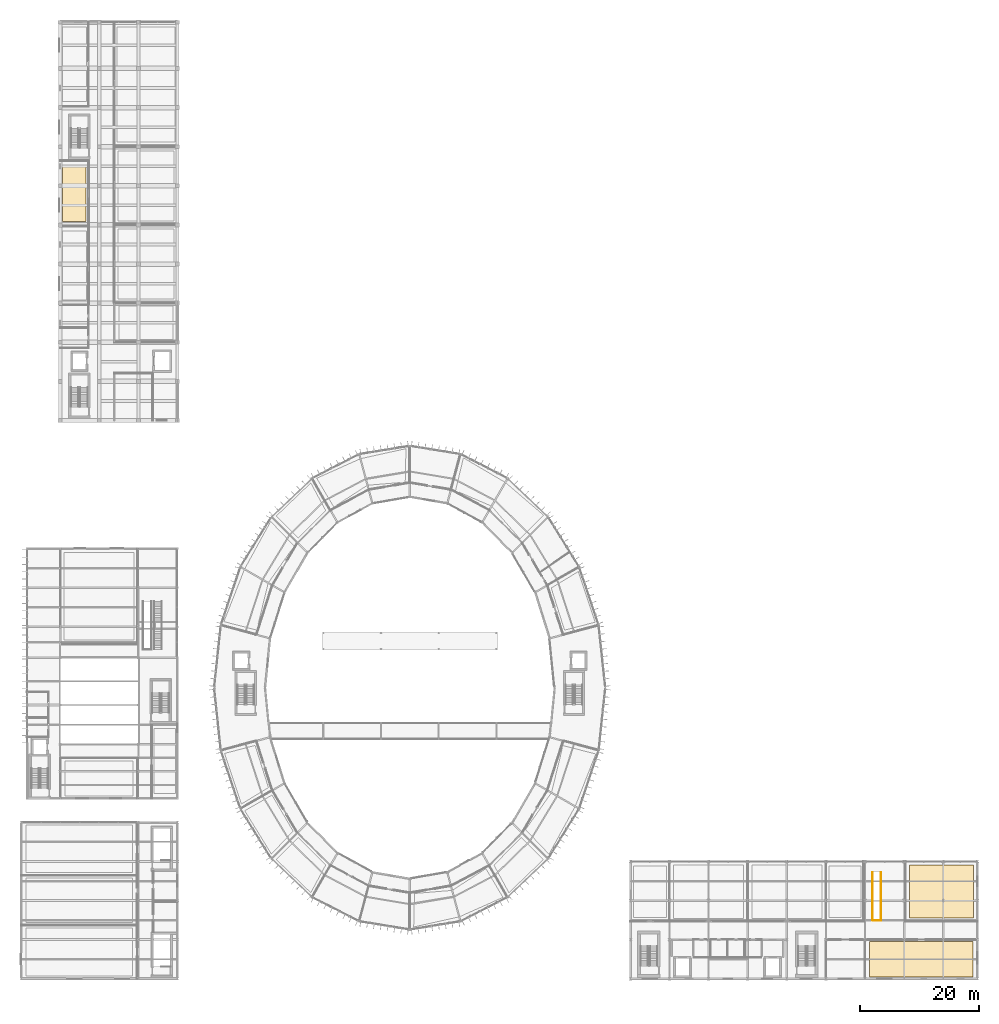
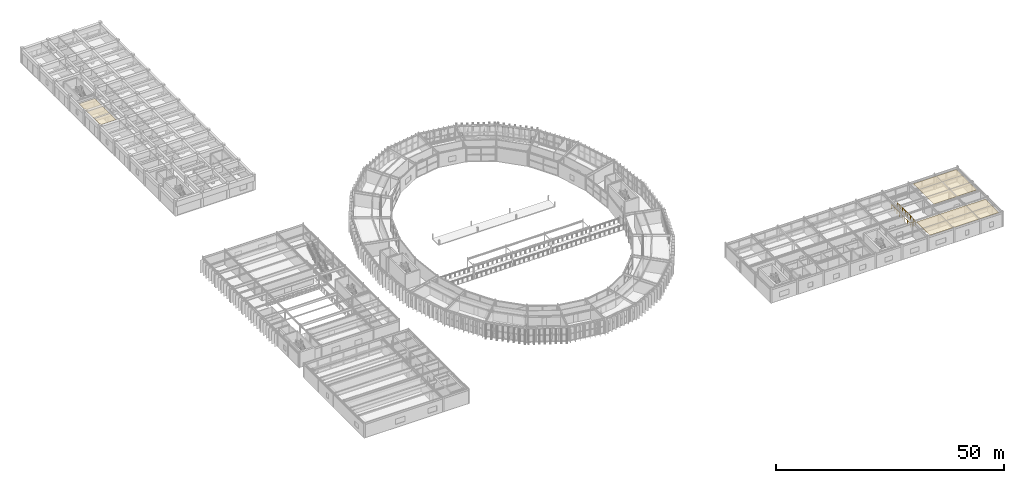
# One storey, part 146 of 147: 3 coverings, 1 railing.
"""IFC4 building model written with IfcOpenShell, lengths in metres."""

from ifc_helpers import new_model, si_unit, direction, frame, origin, origin_2d, place, context, subcontext, project, spatial, polyline, circle, outline, extrude, material, layer, layer_set, type_object, element, save


model = new_model("IFC4")

# Units and contexts
model_context = context("Model", 3, precision=1e-05, world=origin(), true_north=direction((0.0, 1.0)))
body_context = subcontext(model_context, "Body", "Model", "MODEL_VIEW")
ifc_project = project(units=[si_unit("LENGTHUNIT", "METRE"), si_unit("AREAUNIT", "SQUARE_METRE"), si_unit("VOLUMEUNIT", "CUBIC_METRE"), si_unit("PLANEANGLEUNIT", "RADIAN"), si_unit("MASSUNIT", "GRAM", prefix="KILO")], contexts=[model_context])

# Site, building, storey
site_placement = place(None, origin())
site = spatial("IfcSite", under=ifc_project, at=site_placement, CompositionType="ELEMENT")
building_placement = place(site_placement, origin())
building = spatial("IfcBuilding", under=site, at=building_placement, Name="Karori Crest Natural Sciences Institute", CompositionType="ELEMENT")
storey_placement = place(building_placement, frame((0.0, 0.0, 9.10009765625)))
storey = spatial("IfcBuildingStorey", under=building, at=storey_placement, Name="L02", CompositionType="ELEMENT", Elevation=9.10009765625)

# Coverings
ifc_material_1 = material(Name="Acoustic mineral fibre ceiling tile")
ifc_layer = layer(ifc_material_1, 0.02490234375, Name="Acoustic mineral fibre ceiling tile")
ifc_layer_set = layer_set([ifc_layer], Name="Acoustic mineral fibre ceiling tile")
covering_type = type_object("IfcCoveringType", Name="CVT-CEIL", PredefinedType="CEILING", material=ifc_layer_set)
covering_1_placement = place(storey_placement, frame((0.0, 0.0, 3.704833984375)))
element("IfcCovering", 1, at=covering_1_placement, inside=storey, type_object=covering_type, Name="Acoustic ceiling CLG-0010", PredefinedType="CEILING", context=body_context, shape_type="SweptSolid", body=[
    extrude(outline(polyline([(143.98291015625, 7.055419921875), (143.98291015625, 1.144775390625), (161.4169921875, 1.144775390625), (161.4169921875, 7.055419921875), (143.98291015625, 7.055419921875)])), origin(), (0.0, 0.0, 1.0), 0.025146484375),
])
covering_2_placement = place(storey_placement, frame((0.0, 0.0, 3.704833984375)))
element("IfcCovering", 2, at=covering_2_placement, inside=storey, type_object=covering_type, Name="Acoustic ceiling CLG-0015", PredefinedType="CEILING", context=body_context, shape_type="SweptSolid", body=[
    extrude(outline(polyline([(150.67919921875, 20.013671875), (150.67919921875, 11.036376953125), (161.520751953125, 11.036376953125), (161.520751953125, 20.013671875), (150.67919921875, 20.013671875)])), origin(), (0.0, 0.0, 1.0), 0.025146484375),
])
covering_3_placement = place(storey_placement, frame((0.0, 0.0, 3.625)))
element("IfcCovering", 3, at=covering_3_placement, inside=storey, type_object=covering_type, Name="Acoustic ceiling CLG-0031", PredefinedType="CEILING", context=body_context, shape_type="SweptSolid", body=[
    extrude(outline(polyline([(7.81201171875, 138.014892578125), (7.81201171875, 128.5849609375), (11.7880859375, 128.5849609375), (11.7880859375, 138.014892578125), (7.81201171875, 138.014892578125)])), origin(), (0.0, 0.0, 1.0), 0.02490234375),
])

# Railing
ifc_material_2 = material(Name="Stainless steel 316 stair guard", Category="steel")
railing_type = type_object("IfcRailingType", Name="RLT-STG", PredefinedType="GUARDRAIL", material=ifc_material_2)
railing_placement = place(storey_placement, frame((144.485107421875, 18.800048828125, 0.0)))
element("IfcRailing", 4, at=railing_placement, inside=storey, type_object=railing_type, Name="Feature stair well guard RL-0434", PredefinedType="GUARDRAIL", context=body_context, shape_type="SweptSolid", body=[
    extrude(circle(Radius=0.02392578125, at=origin_2d()), frame((0.0, 0.0, 1.076171875), z_axis=(0.0, -1.0, 0.0), x_axis=(1.0, 0.0, 0.0)), (0.0, 0.0, 1.0), 8.14013671875),
    extrude(circle(Radius=0.02392578125, at=origin_2d()), frame((0.0, -8.14013671875, 1.076171875), z_axis=(1.0, 0.0, 0.0), x_axis=(0.0, 1.0, 0.0)), (0.0, 0.0, 1.0), 1.429931640625),
    extrude(circle(Radius=0.02392578125, at=origin_2d()), frame((1.429931640625, -8.14013671875, 1.076171875), z_axis=(0.0, 1.0, 0.0), x_axis=(-1.0, 0.0, 0.0)), (0.0, 0.0, 1.0), 8.14013671875),
    extrude(circle(Radius=0.02099609375, at=origin_2d()), origin(), (0.0, 0.0, 1.0), 1.052001953125),
    extrude(circle(Radius=0.02099609375, at=origin_2d()), frame((0.0, -1.162841796875, 0.0)), (0.0, 0.0, 1.0), 1.052001953125),
    extrude(circle(Radius=0.02099609375, at=origin_2d()), frame((0.0, -2.32568359375, 0.0)), (0.0, 0.0, 1.0), 1.052001953125),
    extrude(circle(Radius=0.02099609375, at=origin_2d()), frame((0.0, -3.488525390625, 0.0)), (0.0, 0.0, 1.0), 1.052001953125),
    extrude(circle(Radius=0.02099609375, at=origin_2d()), frame((0.0, -4.651611328125, 0.0)), (0.0, 0.0, 1.0), 1.052001953125),
    extrude(circle(Radius=0.02099609375, at=origin_2d()), frame((0.0, -5.814453125, 0.0)), (0.0, 0.0, 1.0), 1.052001953125),
    extrude(circle(Radius=0.02099609375, at=origin_2d()), frame((0.0, -6.977294921875, 0.0)), (0.0, 0.0, 1.0), 1.052001953125),
    extrude(circle(Radius=0.02099609375, at=origin_2d()), frame((0.0, -8.14013671875, 0.0)), (0.0, 0.0, 1.0), 1.052001953125),
    extrude(circle(Radius=0.02099609375, at=origin_2d()), frame((0.71484375, -8.14013671875, 0.0)), (0.0, 0.0, 1.0), 1.052001953125),
    extrude(circle(Radius=0.02099609375, at=origin_2d()), frame((1.429931640625, -8.14013671875, 0.0)), (0.0, 0.0, 1.0), 1.052001953125),
    extrude(circle(Radius=0.02099609375, at=origin_2d()), frame((1.429931640625, -6.977294921875, 0.0)), (0.0, 0.0, 1.0), 1.052001953125),
    extrude(circle(Radius=0.02099609375, at=origin_2d()), frame((1.429931640625, -5.814453125, 0.0)), (0.0, 0.0, 1.0), 1.052001953125),
    extrude(circle(Radius=0.02099609375, at=origin_2d()), frame((1.429931640625, -4.651611328125, 0.0)), (0.0, 0.0, 1.0), 1.052001953125),
    extrude(circle(Radius=0.02099609375, at=origin_2d()), frame((1.429931640625, -3.488525390625, 0.0)), (0.0, 0.0, 1.0), 1.052001953125),
    extrude(circle(Radius=0.02099609375, at=origin_2d()), frame((1.429931640625, -2.32568359375, 0.0)), (0.0, 0.0, 1.0), 1.052001953125),
    extrude(circle(Radius=0.02099609375, at=origin_2d()), frame((1.429931640625, -1.162841796875, 0.0)), (0.0, 0.0, 1.0), 1.052001953125),
    extrude(circle(Radius=0.02099609375, at=origin_2d()), frame((1.429931640625, 0.0, 0.0)), (0.0, 0.0, 1.0), 1.052001953125),
])

save(model, "model.ifc")
